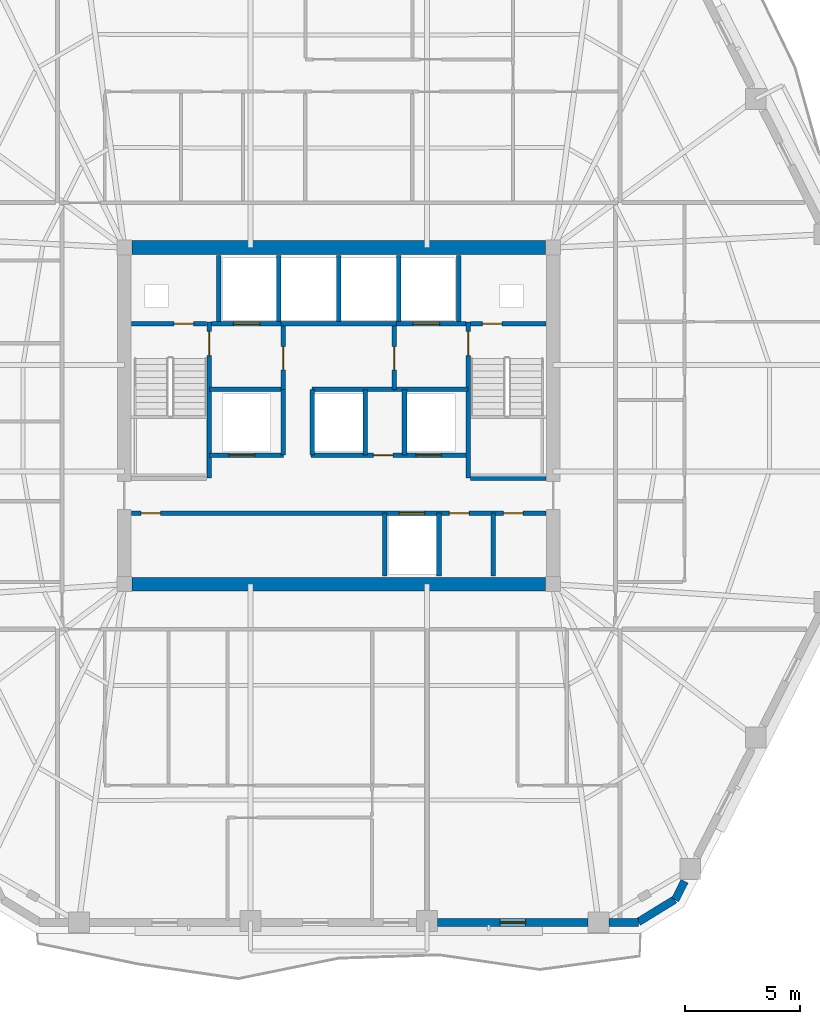
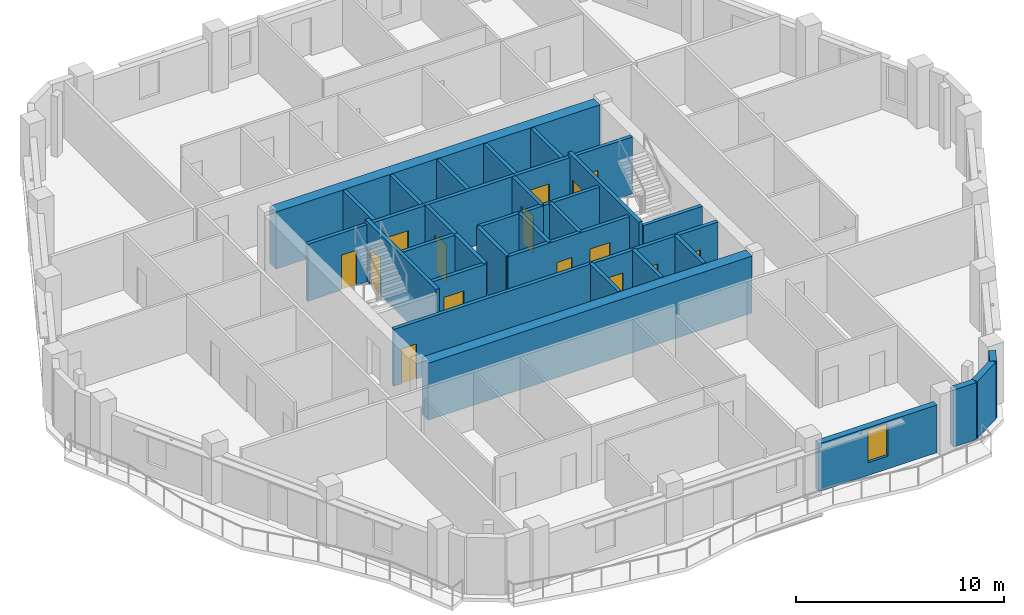
# One storey, part 5 of 12: 34 walls, 15 doors, 1 window, 16 openings.
"""IFC4 building model written with IfcOpenShell, lengths in metres."""

import ifcopenshell
import ifcopenshell.guid

model = None  # the IFC model being written
_history = None  # IfcOwnerHistory: only IFC2X3 demands one
_inside = {}  # id of a spatial element -> (the spatial element, [elements in it])
_under = {}  # id of a project, library or spatial element -> (it, [spatial elements below it])
_declared = {}  # id of a project -> (the project, [libraries it declares])
_typed = {}  # id of a type object -> (the type object, [elements of that type])
_made_of = {}  # id of a material, layer set ... -> (it, [elements and type objects made of it])


def new_model(schema):
    """Start an empty IFC model of exactly this schema.

    Asked for "IFC4X3", IfcOpenShell would pick the latest addendum, in which some entities
    have other attributes; the version numbers below select the first issue.
    IFC2X3 requires an IfcOwnerHistory on every rooted entity: one is made here for all.
    """
    global model, _history
    if schema == "IFC4X3":
        model = ifcopenshell.file(schema_version=(4, 3, 0, 0))
    else:
        model = ifcopenshell.file(schema=schema)
    _inside.clear()
    _under.clear()
    _declared.clear()
    _typed.clear()
    _made_of.clear()
    _history = None
    if model.schema == "IFC2X3":
        org = make("IfcOrganization", Name="unknown")
        user = make(
            "IfcPersonAndOrganization",
            ThePerson=make("IfcPerson", FamilyName="unknown"),
            TheOrganization=org,
        )
        app = make(
            "IfcApplication",
            ApplicationDeveloper=org,
            Version="unknown",
            ApplicationFullName="unknown",
            ApplicationIdentifier="unknown",
        )
        _history = make(
            "IfcOwnerHistory",
            OwningUser=user,
            OwningApplication=app,
            ChangeAction="ADDED",
            CreationDate=0,
        )
    return model


def make(cls, **values):
    """One entity of the class cls with the attributes given. An attribute that is None is left unset."""
    return model.create_entity(
        cls, **{name: value for name, value in values.items() if value is not None}
    )


def rooted(cls, **values):
    """An entity with a GlobalId (a new one), such as an element, a storey or a relation."""
    return make(cls, GlobalId=ifcopenshell.guid.new(), OwnerHistory=_history, **values)


def si_unit(unit_type, name, prefix=None):
    """IfcSIUnit, for example si_unit("LENGTHUNIT", "METRE", prefix="MILLI")."""
    return make("IfcSIUnit", UnitType=unit_type, Prefix=prefix, Name=name)


def assignment(units):
    """IfcUnitAssignment: the units of a project."""
    return None if units is None else make("IfcUnitAssignment", Units=units)


def point(xyz):
    """IfcCartesianPoint."""
    return None if xyz is None else make("IfcCartesianPoint", Coordinates=xyz)


def direction(xyz):
    """IfcDirection."""
    return None if xyz is None else make("IfcDirection", DirectionRatios=xyz)


def frame(location, z_axis=None, x_axis=None):
    """IfcAxis2Placement3D, a coordinate frame: its origin and axes. An axis left out is left unset."""
    return make(
        "IfcAxis2Placement3D",
        Location=point(location),
        Axis=direction(z_axis),
        RefDirection=direction(x_axis),
    )


def frame_2d(location, x_axis=None):
    """IfcAxis2Placement2D, a coordinate frame in the plane: its origin and x axis."""
    return make(
        "IfcAxis2Placement2D", Location=point(location), RefDirection=direction(x_axis)
    )


def origin():
    """The frame at (0, 0, 0) with its axes left unset."""
    return frame((0.0, 0.0, 0.0))


def place(relative_to, where):
    """IfcLocalPlacement: puts the frame where relative to a parent placement (None: the world)."""
    return make(
        "IfcLocalPlacement", PlacementRelTo=relative_to, RelativePlacement=where
    )


def context(
    kind, dimensions, precision=None, world=None, true_north=None, identifier=None
):
    """IfcGeometricRepresentationContext, for example the 3D "Model" context."""
    return make(
        "IfcGeometricRepresentationContext",
        ContextIdentifier=identifier,
        ContextType=kind,
        CoordinateSpaceDimension=dimensions,
        Precision=precision,
        WorldCoordinateSystem=world,
        TrueNorth=true_north,
    )


def subcontext(parent, identifier, kind, view, scale=None):
    """IfcGeometricRepresentationSubContext, for example "Body" below "Model"."""
    return make(
        "IfcGeometricRepresentationSubContext",
        ContextIdentifier=identifier,
        ContextType=kind,
        ParentContext=parent,
        TargetScale=scale,
        TargetView=view,
    )


def project(units=None, contexts=None):
    """IfcProject with its units and contexts."""
    return rooted(
        "IfcProject",
        Name="project",
        RepresentationContexts=contexts,
        UnitsInContext=assignment(units),
    )


def spatial(cls, under=None, at=None, **own):
    """A site, building, storey or space (cls), placed at a placement, below another one or the project."""
    s = rooted(cls, ObjectPlacement=at, **own)
    if under is not None:
        _under.setdefault(under.id(), (under, []))[1].append(s)
    return s


def profile(cls, at=None, kind="AREA", **sizes):
    """A parametric profile (cls). Its sizes go by their IFC names, for example OverallWidth=200.0."""
    return make(cls, ProfileType=kind, Position=at, **sizes)


def rectangle(**sizes):
    """IfcRectangleProfileDef."""
    return profile("IfcRectangleProfileDef", **sizes)


def extrude(swept, where, along, depth):
    """IfcExtrudedAreaSolid: the profile swept, set in the frame where, extruded along a direction by depth."""
    return make(
        "IfcExtrudedAreaSolid",
        SweptArea=swept,
        Position=where,
        ExtrudedDirection=direction(along),
        Depth=depth,
    )


def shape(context_of_items, identifier, shape_type, items):
    """IfcShapeRepresentation: the items that make up one representation, for example the "Body"."""
    return make(
        "IfcShapeRepresentation",
        ContextOfItems=context_of_items,
        RepresentationIdentifier=identifier,
        RepresentationType=shape_type,
        Items=items,
    )


def material(Name=None, Category=None):
    """IfcMaterial."""
    return make("IfcMaterial", Name=Name, Category=Category)


def layer(
    of_material, thickness, ventilated=None, Name=None, Category=None, Priority=None
):
    """IfcMaterialLayer: one layer of a wall or slab, of a material (None: an air gap)."""
    return make(
        "IfcMaterialLayer",
        Material=of_material,
        LayerThickness=thickness,
        IsVentilated=ventilated,
        Name=Name,
        Category=Category,
        Priority=Priority,
    )


def layer_set(layers, Name=None):
    """IfcMaterialLayerSet."""
    return make("IfcMaterialLayerSet", MaterialLayers=layers, LayerSetName=Name)


def made_of(thing, what):
    """Note that an element or type object is made of a material, layer set ...; save() writes the relation."""
    if what is not None:
        _made_of.setdefault(what.id(), (what, []))[1].append(thing)
    return thing


def type_object(cls, material=None, **own):
    """A type object (cls), such as IfcWallType, which elements share."""
    return made_of(rooted(cls, **own), material)


def element(
    cls,
    number,
    at=None,
    inside=None,
    cuts=None,
    type_object=None,
    material=None,
    context=None,
    identifier="Body",
    shape_type=None,
    held_by="IfcProductDefinitionShape",
    body=None,
    shapes=None,
    **own,
):
    """One element of the class cls, such as IfcWall. Its Tag is "e" and its number.

    at: its placement. inside: the storey or other place that contains it. cuts: it is an
    opening in that element (IfcRelVoidsElement). A single representation is given by context,
    identifier, shape_type and body (its items); several are given by shapes. held_by: the class
    of the entity that holds the representations. save() writes the other relations.
    """
    e = rooted(cls, Tag="e%d" % number, ObjectPlacement=at, **own)
    if body is not None:
        shapes = [shape(context, identifier, shape_type, body)]
    if shapes is not None:
        e.Representation = make(held_by, Representations=shapes)
    if inside is not None:
        _inside.setdefault(inside.id(), (inside, []))[1].append(e)
    if cuts is not None:
        rooted(
            "IfcRelVoidsElement", RelatingBuildingElement=cuts, RelatedOpeningElement=e
        )
    if type_object is not None:
        _typed.setdefault(type_object.id(), (type_object, []))[1].append(e)
    return made_of(e, material)


def fill(opening, filler):
    """IfcRelFillsElement: the door or window that sits in an opening."""
    return rooted(
        "IfcRelFillsElement",
        RelatingOpeningElement=opening,
        RelatedBuildingElement=filler,
    )


def aggregate(whole, parts):
    """IfcRelAggregates: a whole, such as a stair, and the parts it consists of."""
    return rooted("IfcRelAggregates", RelatingObject=whole, RelatedObjects=parts)


def save(model, path):
    """Write the relations noted so far, then the file.

    IfcRelAggregates (storeys below a building ...), IfcRelContainedInSpatialStructure (elements
    in a storey), IfcRelDefinesByType, IfcRelAssociatesMaterial and IfcRelDeclares: one each for
    every whole, place, type object, material and project.
    """
    for whole, parts in _under.values():
        aggregate(whole, parts)
    for where, things in _inside.values():
        rooted(
            "IfcRelContainedInSpatialStructure",
            RelatedElements=things,
            RelatingStructure=where,
        )
    for kind, things in _typed.values():
        rooted("IfcRelDefinesByType", RelatedObjects=things, RelatingType=kind)
    for what, things in _made_of.values():
        rooted("IfcRelAssociatesMaterial", RelatedObjects=things, RelatingMaterial=what)
    for by, libraries in _declared.values():
        rooted("IfcRelDeclares", RelatingContext=by, RelatedDefinitions=libraries)
    model.write(path)


model = new_model("IFC4")

# Units and contexts
model_context = context("Model", 3, precision=1e-05, world=origin(), true_north=direction((0.0, 1.0)))
body_context = subcontext(model_context, "Body", "Model", "MODEL_VIEW")
ifc_project = project(units=[si_unit("LENGTHUNIT", "METRE"), si_unit("AREAUNIT", "SQUARE_METRE"), si_unit("VOLUMEUNIT", "CUBIC_METRE"), si_unit("PLANEANGLEUNIT", "RADIAN"), si_unit("MASSUNIT", "GRAM", prefix="KILO")], contexts=[model_context])

# Site, building, storey
site_placement = place(None, origin())
site = spatial("IfcSite", under=ifc_project, at=site_placement, CompositionType="ELEMENT")
building_placement = place(site_placement, origin())
building = spatial("IfcBuilding", under=site, at=building_placement, Name="Cinnabar Lancet Tower", CompositionType="ELEMENT")
storey_placement = place(building_placement, frame((0.0, 0.0, 157.050048828125)))
storey = spatial("IfcBuildingStorey", under=building, at=storey_placement, Name="L41", CompositionType="ELEMENT", Elevation=157.050048828125)

# Wall
ifc_material_1 = material(Name="Autoclaved aerated concrete blockwork", Category="masonry")
ifc_layer_1 = layer(ifc_material_1, 0.199951171875)
ifc_layer_set_1 = layer_set([ifc_layer_1], Name="Autoclaved aerated concrete blockwork")
wall_type_1 = type_object("IfcWallType", Name="ARC-WL-SHAFT-200", PredefinedType="PLUMBINGWALL", material=ifc_layer_set_1)
wall_1_placement = place(storey_placement, frame((38.125, 23.199951171875, 0.0), z_axis=(0.0, 0.0, 1.0), x_axis=(1.0, 0.0, 0.0)))
element("IfcWall", 1, at=wall_1_placement, inside=storey, type_object=wall_type_1, Name="CW-ST2S-L41", PredefinedType="PLUMBINGWALL", context=body_context, shape_type="SweptSolid", body=[
    extrude(rectangle(XDim=3.27001953125, YDim=0.199951171875, at=frame_2d((1.635009765625, 0.0))), origin(), (0.0, 0.0, 1.0), 3.33984375),
])

# Wall, opening, door
wall_2_placement = place(storey_placement, frame((23.405029296875, 29.89990234375, 0.0), z_axis=(0.0, 0.0, 1.0), x_axis=(1.0, 0.0, 0.0)))
wall_2 = element("IfcWall", 2, at=wall_2_placement, inside=storey, type_object=wall_type_1, Name="CW-NSH-W-L41", PredefinedType="PLUMBINGWALL", context=body_context, shape_type="SweptSolid", body=[
    extrude(rectangle(XDim=3.27001953125, YDim=0.199951171875, at=frame_2d((1.635009765625, 0.0))), origin(), (0.0, 0.0, 1.0), 3.33984375),
])
opening_1_placement = place(wall_2_placement, frame((1.85009765625, 0.0, 0.0)))
opening_1 = element("IfcOpeningElement", 3, at=opening_1_placement, cuts=wall_2, Name="Opening PD-02", PredefinedType="OPENING", context=body_context, shape_type="SweptSolid", body=[
    extrude(rectangle(XDim=0.85009765625, YDim=2.050048828125, at=frame_2d((0.425048828125, 1.02490234375))), frame((0.0, 0.10986328125, 0.0), z_axis=(0.0, -1.0, 0.0), x_axis=(1.0, 0.0, 0.0)), (0.0, 0.0, 1.0), 0.219970703125),
])
ifc_material_2 = material(Name="Fire-rated steel riser access door", Category="steel")
door_type_1 = type_object("IfcDoorType", Name="ARC-DR-RISER", OperationType="NOTDEFINED", PredefinedType="DOOR", material=ifc_material_2)
door_1_placement = place(opening_1_placement, origin())
door_1 = element("IfcDoor", 4, at=door_1_placement, inside=storey, type_object=door_type_1, Name="L41 West Riser Access Door", OperationType="SINGLE_SWING_LEFT", OverallHeight=2.050048828125, OverallWidth=0.85009765625, PredefinedType="DOOR", context=body_context, shape_type="SweptSolid", body=[
    extrude(rectangle(XDim=0.85009765625, YDim=2.050048828125, at=frame_2d((0.425048828125, 1.02490234375))), frame((0.0, 0.02490234375, 0.0), z_axis=(0.0, -1.0, 0.0), x_axis=(1.0, 0.0, 0.0)), (0.0, 0.0, 1.0), 0.050048828125),
])
fill(opening_1, door_1)

wall_3_placement = place(storey_placement, frame((26.885009765625, 29.89990234375, 0.0), z_axis=(0.0, 0.0, 1.0), x_axis=(1.0, 0.0, 0.0)))
wall_3 = element("IfcWall", 5, at=wall_3_placement, inside=storey, type_object=wall_type_1, Name="CW-FL1-L41", PredefinedType="PLUMBINGWALL", context=body_context, shape_type="SweptSolid", body=[
    extrude(rectangle(XDim=3.014892578125, YDim=0.199951171875, at=frame_2d((1.50732421875, 0.0))), origin(), (0.0, 0.0, 1.0), 3.33984375),
])
opening_2_placement = place(wall_3_placement, frame((0.93994140625, 0.0, 0.0)))
opening_2 = element("IfcOpeningElement", 6, at=opening_2_placement, cuts=wall_3, Name="Opening LD-02", PredefinedType="OPENING", context=body_context, shape_type="SweptSolid", body=[
    extrude(rectangle(XDim=1.14990234375, YDim=2.199951171875, at=frame_2d((0.574951171875, 1.10009765625))), frame((0.0, 0.10986328125, 0.0), z_axis=(0.0, -1.0, 0.0), x_axis=(1.0, 0.0, 0.0)), (0.0, 0.0, 1.0), 0.219970703125),
])
ifc_material_3 = material(Name="Fire-rated stainless steel firefighting lift landing door", Category="steel")
door_type_2 = type_object("IfcDoorType", Name="ARC-DR-LD-FIRE", OperationType="NOTDEFINED", PredefinedType="DOOR", material=ifc_material_3)
door_2_placement = place(opening_2_placement, origin())
door_2 = element("IfcDoor", 7, at=door_2_placement, inside=storey, type_object=door_type_2, Name="L41 Firefighting Lift FL-1 Landing Door", OperationType="DOUBLE_DOOR_SLIDING", OverallHeight=2.199951171875, OverallWidth=1.14990234375, PredefinedType="DOOR", context=body_context, shape_type="SweptSolid", body=[
    extrude(rectangle(XDim=1.14990234375, YDim=2.199951171875, at=frame_2d((0.574951171875, 1.10009765625))), frame((0.0, 0.02490234375, 0.0), z_axis=(0.0, -1.0, 0.0), x_axis=(1.0, 0.0, 0.0)), (0.0, 0.0, 1.0), 0.050048828125),
])
fill(opening_2, door_2)

# Wall
wall_4_placement = place(storey_placement, frame((29.89990234375, 29.89990234375, 0.0), z_axis=(0.0, 0.0, 1.0), x_axis=(1.0, 0.0, 0.0)))
element("IfcWall", 8, at=wall_4_placement, inside=storey, type_object=wall_type_1, Name="CW-PL78-L41", PredefinedType="PLUMBINGWALL", context=body_context, shape_type="SweptSolid", body=[
    extrude(rectangle(XDim=5.0, YDim=0.199951171875, at=frame_2d((2.5, 0.0))), origin(), (0.0, 0.0, 1.0), 3.33984375),
])

# Wall, opening, door
wall_5_placement = place(storey_placement, frame((34.89990234375, 29.89990234375, 0.0), z_axis=(0.0, 0.0, 1.0), x_axis=(1.0, 0.0, 0.0)))
wall_5 = element("IfcWall", 9, at=wall_5_placement, inside=storey, type_object=wall_type_1, Name="CW-FL2-L41", PredefinedType="PLUMBINGWALL", context=body_context, shape_type="SweptSolid", body=[
    extrude(rectangle(XDim=3.01513671875, YDim=0.199951171875, at=frame_2d((1.507568359375, 0.0))), origin(), (0.0, 0.0, 1.0), 3.33984375),
])
opening_3_placement = place(wall_5_placement, frame((0.72509765625, 0.0, 0.0)))
opening_3 = element("IfcOpeningElement", 10, at=opening_3_placement, cuts=wall_5, Name="Opening LD-02", PredefinedType="OPENING", context=body_context, shape_type="SweptSolid", body=[
    extrude(rectangle(XDim=1.14990234375, YDim=2.199951171875, at=frame_2d((0.574951171875, 1.10009765625))), frame((0.0, 0.10986328125, 0.0), z_axis=(0.0, -1.0, 0.0), x_axis=(1.0, 0.0, 0.0)), (0.0, 0.0, 1.0), 0.219970703125),
])
door_3_placement = place(opening_3_placement, origin())
door_3 = element("IfcDoor", 11, at=door_3_placement, inside=storey, type_object=door_type_2, Name="L41 Firefighting Lift FL-2 Landing Door", OperationType="DOUBLE_DOOR_SLIDING", OverallHeight=2.199951171875, OverallWidth=1.14990234375, PredefinedType="DOOR", context=body_context, shape_type="SweptSolid", body=[
    extrude(rectangle(XDim=1.14990234375, YDim=2.199951171875, at=frame_2d((0.574951171875, 1.10009765625))), frame((0.0, 0.02490234375, 0.0), z_axis=(0.0, -1.0, 0.0), x_axis=(1.0, 0.0, 0.0)), (0.0, 0.0, 1.0), 0.050048828125),
])
fill(opening_3, door_3)

wall_6_placement = place(storey_placement, frame((38.125, 29.89990234375, 0.0), z_axis=(0.0, 0.0, 1.0), x_axis=(1.0, 0.0, 0.0)))
wall_6 = element("IfcWall", 12, at=wall_6_placement, inside=storey, type_object=wall_type_1, Name="CW-NSH-E-L41", PredefinedType="PLUMBINGWALL", context=body_context, shape_type="SweptSolid", body=[
    extrude(rectangle(XDim=3.27001953125, YDim=0.199951171875, at=frame_2d((1.635009765625, 0.0))), origin(), (0.0, 0.0, 1.0), 3.33984375),
])
opening_4_placement = place(wall_6_placement, frame((0.5, 0.0, 0.0)))
opening_4 = element("IfcOpeningElement", 13, at=opening_4_placement, cuts=wall_6, Name="Opening PD-02", PredefinedType="OPENING", context=body_context, shape_type="SweptSolid", body=[
    extrude(rectangle(XDim=0.85009765625, YDim=2.050048828125, at=frame_2d((0.425048828125, 1.02490234375))), frame((0.0, 0.10986328125, 0.0), z_axis=(0.0, -1.0, 0.0), x_axis=(1.0, 0.0, 0.0)), (0.0, 0.0, 1.0), 0.219970703125),
])
door_4_placement = place(opening_4_placement, origin())
door_4 = element("IfcDoor", 14, at=door_4_placement, inside=storey, type_object=door_type_1, Name="L41 East Riser Access Door", OperationType="SINGLE_SWING_RIGHT", OverallHeight=2.050048828125, OverallWidth=0.85009765625, PredefinedType="DOOR", context=body_context, shape_type="SweptSolid", body=[
    extrude(rectangle(XDim=0.85009765625, YDim=2.050048828125, at=frame_2d((0.425048828125, 1.02490234375))), frame((0.0, 0.02490234375, 0.0), z_axis=(0.0, -1.0, 0.0), x_axis=(1.0, 0.0, 0.0)), (0.0, 0.0, 1.0), 0.050048828125),
])
fill(opening_4, door_4)

# Walls
for number, where, z_axis, x_axis, name in (
    (15, (27.199951171875, 30.0, 0.0), (0.0, 0.0, 1.0), (0.0, 1.0, 0.0), "CW-NSH-D1-L41"),
    (16, (29.800048828125, 30.0, 0.0), (0.0, 0.0, 1.0), (0.0, 1.0, 0.0), "CW-NSH-D2-L41"),
    (17, (32.39990234375, 30.0, 0.0), (0.0, 0.0, 1.0), (0.0, 1.0, 0.0), "CW-NSH-D3-L41"),
    (18, (35.0, 30.0, 0.0), (0.0, 0.0, 1.0), (0.0, 1.0, 0.0), "CW-NSH-D4-L41"),
    (19, (37.60009765625, 30.0, 0.0), (0.0, 0.0, 1.0), (0.0, 1.0, 0.0), "CW-NSH-D5-L41"),
):
    element("IfcWall", number, at=place(storey_placement, frame(where, z_axis=z_axis, x_axis=x_axis)), inside=storey, type_object=wall_type_1, Name=name, PredefinedType="PLUMBINGWALL", context=body_context, shape_type="SweptSolid", body=[
        extrude(rectangle(XDim=2.85009765625, YDim=0.199951171875, at=frame_2d((1.425048828125, 0.0))), origin(), (0.0, 0.0, 1.0), 3.33984375),
    ])

# Wall, opening, door
wall_7_placement = place(storey_placement, frame((30.0, 27.050048828125, 0.0), z_axis=(0.0, 0.0, 1.0), x_axis=(0.0, 1.0, 0.0)))
wall_7 = element("IfcWall", 20, at=wall_7_placement, inside=storey, type_object=wall_type_1, Name="CW-FF1E-L41", PredefinedType="PLUMBINGWALL", context=body_context, shape_type="SweptSolid", body=[
    extrude(rectangle(XDim=2.75, YDim=0.199951171875, at=frame_2d((1.375, 0.0))), origin(), (0.0, 0.0, 1.0), 3.33984375),
])
opening_5_placement = place(wall_7_placement, frame((0.85009765625, 0.0, 0.0)))
opening_5 = element("IfcOpeningElement", 21, at=opening_5_placement, cuts=wall_7, Name="Opening FD-01", PredefinedType="OPENING", context=body_context, shape_type="SweptSolid", body=[
    extrude(rectangle(XDim=1.0, YDim=2.14990234375, at=frame_2d((0.5, 1.074951171875))), frame((0.0, 0.10986328125, 0.0), z_axis=(0.0, -1.0, 0.0), x_axis=(1.0, 0.0, 0.0)), (0.0, 0.0, 1.0), 0.219970703125),
])
ifc_material_4 = material(Name="Fire-rated timber-core lobby door", Category="wood")
door_type_3 = type_object("IfcDoorType", Name="ARC-DR-FFAL", OperationType="NOTDEFINED", PredefinedType="DOOR", material=ifc_material_4)
door_5_placement = place(opening_5_placement, origin())
door_5 = element("IfcDoor", 22, at=door_5_placement, inside=storey, type_object=door_type_3, Name="L41 FFAL-1 Lobby Fire Door", OperationType="SINGLE_SWING_RIGHT", OverallHeight=2.14990234375, OverallWidth=1.0, PredefinedType="DOOR", context=body_context, shape_type="SweptSolid", body=[
    extrude(rectangle(XDim=1.0, YDim=2.14990234375, at=frame_2d((0.5, 1.074951171875))), frame((0.0, 0.02490234375, 0.0), z_axis=(0.0, -1.0, 0.0), x_axis=(1.0, 0.0, 0.0)), (0.0, 0.0, 1.0), 0.050048828125),
])
fill(opening_5, door_5)

# Wall
wall_8_placement = place(storey_placement, frame((26.800048828125, 27.050048828125, 0.0), z_axis=(0.0, 0.0, 1.0), x_axis=(1.0, 0.0, 0.0)))
element("IfcWall", 23, at=wall_8_placement, inside=storey, type_object=wall_type_1, Name="CW-FF1S-L41", PredefinedType="PLUMBINGWALL", context=body_context, shape_type="SweptSolid", body=[
    extrude(rectangle(XDim=3.199951171875, YDim=0.199951171875, at=frame_2d((1.60009765625, 0.0))), origin(), (0.0, 0.0, 1.0), 3.33984375),
])

# Wall, opening, door
wall_9_placement = place(storey_placement, frame((34.800048828125, 27.050048828125, 0.0), z_axis=(0.0, 0.0, 1.0), x_axis=(0.0, 1.0, 0.0)))
wall_9 = element("IfcWall", 24, at=wall_9_placement, inside=storey, type_object=wall_type_1, Name="CW-FF2W-L41", PredefinedType="PLUMBINGWALL", context=body_context, shape_type="SweptSolid", body=[
    extrude(rectangle(XDim=2.75, YDim=0.199951171875, at=frame_2d((1.375, 0.0))), origin(), (0.0, 0.0, 1.0), 3.33984375),
])
opening_6_placement = place(wall_9_placement, frame((0.85009765625, 0.0, 0.0)))
opening_6 = element("IfcOpeningElement", 25, at=opening_6_placement, cuts=wall_9, Name="Opening FD-01", PredefinedType="OPENING", context=body_context, shape_type="SweptSolid", body=[
    extrude(rectangle(XDim=1.0, YDim=2.14990234375, at=frame_2d((0.5, 1.074951171875))), frame((0.0, 0.10986328125, 0.0), z_axis=(0.0, -1.0, 0.0), x_axis=(1.0, 0.0, 0.0)), (0.0, 0.0, 1.0), 0.219970703125),
])
door_6_placement = place(opening_6_placement, origin())
door_6 = element("IfcDoor", 26, at=door_6_placement, inside=storey, type_object=door_type_3, Name="L41 FFAL-2 Lobby Fire Door", OperationType="SINGLE_SWING_LEFT", OverallHeight=2.14990234375, OverallWidth=1.0, PredefinedType="DOOR", context=body_context, shape_type="SweptSolid", body=[
    extrude(rectangle(XDim=1.0, YDim=2.14990234375, at=frame_2d((0.5, 1.074951171875))), frame((0.0, 0.02490234375, 0.0), z_axis=(0.0, -1.0, 0.0), x_axis=(1.0, 0.0, 0.0)), (0.0, 0.0, 1.0), 0.050048828125),
])
fill(opening_6, door_6)

# Wall
wall_10_placement = place(storey_placement, frame((34.800048828125, 27.050048828125, 0.0), z_axis=(0.0, 0.0, 1.0), x_axis=(1.0, 0.0, 0.0)))
element("IfcWall", 27, at=wall_10_placement, inside=storey, type_object=wall_type_1, Name="CW-FF2S-L41", PredefinedType="PLUMBINGWALL", context=body_context, shape_type="SweptSolid", body=[
    extrude(rectangle(XDim=3.199951171875, YDim=0.199951171875, at=frame_2d((1.60009765625, 0.0))), origin(), (0.0, 0.0, 1.0), 3.33984375),
])

# Wall, opening, door
wall_11_placement = place(storey_placement, frame((26.800048828125, 24.199951171875, 0.0), z_axis=(0.0, 0.0, 1.0), x_axis=(1.0, 0.0, 0.0)))
wall_11 = element("IfcWall", 28, at=wall_11_placement, inside=storey, type_object=wall_type_1, Name="CW-PL5S-L41", PredefinedType="PLUMBINGWALL", context=body_context, shape_type="SweptSolid", body=[
    extrude(rectangle(XDim=3.199951171875, YDim=0.199951171875, at=frame_2d((1.60009765625, 0.0))), origin(), (0.0, 0.0, 1.0), 3.33984375),
])
opening_7_placement = place(wall_11_placement, frame((0.85009765625, 0.0, 0.0)))
opening_7 = element("IfcOpeningElement", 29, at=opening_7_placement, cuts=wall_11, Name="Opening LD-01", PredefinedType="OPENING", context=body_context, shape_type="SweptSolid", body=[
    extrude(rectangle(XDim=1.10009765625, YDim=2.199951171875, at=frame_2d((0.550048828125, 1.10009765625))), frame((0.0, 0.10986328125, 0.0), z_axis=(0.0, -1.0, 0.0), x_axis=(1.0, 0.0, 0.0)), (0.0, 0.0, 1.0), 0.219970703125),
])
ifc_material_5 = material(Name="Brushed stainless steel sliding lift door", Category="steel")
door_type_4 = type_object("IfcDoorType", Name="ARC-DR-LD-PASS", OperationType="NOTDEFINED", PredefinedType="DOOR", material=ifc_material_5)
door_7_placement = place(opening_7_placement, origin())
door_7 = element("IfcDoor", 30, at=door_7_placement, inside=storey, type_object=door_type_4, Name="L41 Lift PL-5 Landing Door", OperationType="DOUBLE_DOOR_SLIDING", OverallHeight=2.199951171875, OverallWidth=1.10009765625, PredefinedType="DOOR", context=body_context, shape_type="SweptSolid", body=[
    extrude(rectangle(XDim=1.10009765625, YDim=2.199951171875, at=frame_2d((0.550048828125, 1.10009765625))), frame((0.0, 0.02490234375, 0.0), z_axis=(0.0, -1.0, 0.0), x_axis=(1.0, 0.0, 0.0)), (0.0, 0.0, 1.0), 0.050048828125),
])
fill(opening_7, door_7)

# Wall
wall_12_placement = place(storey_placement, frame((30.0, 24.199951171875, 0.0), z_axis=(0.0, 0.0, 1.0), x_axis=(0.0, 1.0, 0.0)))
element("IfcWall", 31, at=wall_12_placement, inside=storey, type_object=wall_type_1, Name="CW-PL5E-L41", PredefinedType="PLUMBINGWALL", context=body_context, shape_type="SweptSolid", body=[
    extrude(rectangle(XDim=2.85009765625, YDim=0.199951171875, at=frame_2d((1.425048828125, 0.0))), origin(), (0.0, 0.0, 1.0), 3.33984375),
])

# Wall, openings, doors
wall_13_placement = place(storey_placement, frame((31.199951171875, 24.199951171875, 0.0), z_axis=(0.0, 0.0, 1.0), x_axis=(1.0, 0.0, 0.0)))
wall_13 = element("IfcWall", 32, at=wall_13_placement, inside=storey, type_object=wall_type_1, Name="CW-PL96S-L41", PredefinedType="PLUMBINGWALL", context=body_context, shape_type="SweptSolid", body=[
    extrude(rectangle(XDim=6.800048828125, YDim=0.199951171875, at=frame_2d((3.39990234375, 0.0))), origin(), (0.0, 0.0, 1.0), 3.33984375),
])
opening_8_placement = place(wall_13_placement, frame((2.699951171875, 0.0, 0.0)))
opening_8 = element("IfcOpeningElement", 33, at=opening_8_placement, cuts=wall_13, Name="Opening PD-02", PredefinedType="OPENING", context=body_context, shape_type="SweptSolid", body=[
    extrude(rectangle(XDim=0.85009765625, YDim=2.050048828125, at=frame_2d((0.425048828125, 1.02490234375))), frame((0.0, 0.10986328125, 0.0), z_axis=(0.0, -1.0, 0.0), x_axis=(1.0, 0.0, 0.0)), (0.0, 0.0, 1.0), 0.219970703125),
])
opening_9_placement = place(wall_13_placement, frame((4.550048828125, 0.0, 0.0)))
opening_9 = element("IfcOpeningElement", 34, at=opening_9_placement, cuts=wall_13, Name="Opening LD-01", PredefinedType="OPENING", context=body_context, shape_type="SweptSolid", body=[
    extrude(rectangle(XDim=1.10009765625, YDim=2.199951171875, at=frame_2d((0.550048828125, 1.10009765625))), frame((0.0, 0.10986328125, 0.0), z_axis=(0.0, -1.0, 0.0), x_axis=(1.0, 0.0, 0.0)), (0.0, 0.0, 1.0), 0.219970703125),
])
door_8_placement = place(opening_9_placement, origin())
door_8 = element("IfcDoor", 35, at=door_8_placement, inside=storey, type_object=door_type_4, Name="L41 Lift PL-6 Landing Door", OperationType="DOUBLE_DOOR_SLIDING", OverallHeight=2.199951171875, OverallWidth=1.10009765625, PredefinedType="DOOR", context=body_context, shape_type="SweptSolid", body=[
    extrude(rectangle(XDim=1.10009765625, YDim=2.199951171875, at=frame_2d((0.550048828125, 1.10009765625))), frame((0.0, 0.02490234375, 0.0), z_axis=(0.0, -1.0, 0.0), x_axis=(1.0, 0.0, 0.0)), (0.0, 0.0, 1.0), 0.050048828125),
])
fill(opening_9, door_8)
door_9_placement = place(opening_8_placement, origin())
door_9 = element("IfcDoor", 36, at=door_9_placement, inside=storey, type_object=door_type_1, Name="L41 BMS Closet Door", OperationType="SINGLE_SWING_LEFT", OverallHeight=2.050048828125, OverallWidth=0.85009765625, PredefinedType="DOOR", context=body_context, shape_type="SweptSolid", body=[
    extrude(rectangle(XDim=0.85009765625, YDim=2.050048828125, at=frame_2d((0.425048828125, 1.02490234375))), frame((0.0, 0.02490234375, 0.0), z_axis=(0.0, -1.0, 0.0), x_axis=(1.0, 0.0, 0.0)), (0.0, 0.0, 1.0), 0.050048828125),
])
fill(opening_8, door_9)

# Walls
for number, where, z_axis, x_axis, name in (
    (37, (31.25, 24.199951171875, 0.0), (0.0, 0.0, 1.0), (0.0, 1.0, 0.0), "CW-PL9W-L41"),
    (38, (33.550048828125, 24.199951171875, 0.0), (0.0, 0.0, 1.0), (0.0, 1.0, 0.0), "CW-PL9E-L41"),
    (39, (35.25, 24.199951171875, 0.0), (0.0, 0.0, 1.0), (0.0, 1.0, 0.0), "CW-PL6W-L41"),
):
    element("IfcWall", number, at=place(storey_placement, frame(where, z_axis=z_axis, x_axis=x_axis)), inside=storey, type_object=wall_type_1, Name=name, PredefinedType="PLUMBINGWALL", context=body_context, shape_type="SweptSolid", body=[
        extrude(rectangle(XDim=2.85009765625, YDim=0.199951171875, at=frame_2d((1.425048828125, 0.0))), origin(), (0.0, 0.0, 1.0), 3.33984375),
    ])
wall_14_placement = place(storey_placement, frame((31.25, 27.050048828125, 0.0), z_axis=(0.0, 0.0, 1.0), x_axis=(1.0, 0.0, 0.0)))
element("IfcWall", 40, at=wall_14_placement, inside=storey, type_object=wall_type_1, Name="CW-PL96N-L41", PredefinedType="PLUMBINGWALL", context=body_context, shape_type="SweptSolid", body=[
    extrude(rectangle(XDim=3.550048828125, YDim=0.199951171875, at=frame_2d((1.77490234375, 0.0))), origin(), (0.0, 0.0, 1.0), 3.33984375),
])

# Wall, openings, doors
wall_15_placement = place(storey_placement, frame((23.419921875, 21.679931640625, 0.0), z_axis=(0.0, 0.0, 1.0), x_axis=(1.0, 0.0, 0.0)))
wall_15 = element("IfcWall", 41, at=wall_15_placement, inside=storey, type_object=wall_type_1, Name="CW-SBANDN-L41", PredefinedType="PLUMBINGWALL", context=body_context, shape_type="SweptSolid", body=[
    extrude(rectangle(XDim=17.9599609375, YDim=0.199951171875, at=frame_2d((8.97998046875, 0.0))), origin(), (0.0, 0.0, 1.0), 3.33984375),
])
opening_10_placement = place(wall_15_placement, frame((11.60009765625, 0.0, 0.0)))
opening_10 = element("IfcOpeningElement", 42, at=opening_10_placement, cuts=wall_15, Name="Opening LD-01", PredefinedType="OPENING", context=body_context, shape_type="SweptSolid", body=[
    extrude(rectangle(XDim=1.10009765625, YDim=2.199951171875, at=frame_2d((0.550048828125, 1.10009765625))), frame((0.0, 0.10986328125, 0.0), z_axis=(0.0, -1.0, 0.0), x_axis=(1.0, 0.0, 0.0)), (0.0, 0.0, 1.0), 0.219970703125),
])
opening_11_placement = place(wall_15_placement, frame((0.409912109375, 0.0, 0.0)))
opening_11 = element("IfcOpeningElement", 43, at=opening_11_placement, cuts=wall_15, Name="Opening PD-02", PredefinedType="OPENING", context=body_context, shape_type="SweptSolid", body=[
    extrude(rectangle(XDim=0.85009765625, YDim=2.050048828125, at=frame_2d((0.425048828125, 1.02490234375))), frame((0.0, 0.10986328125, 0.0), z_axis=(0.0, -1.0, 0.0), x_axis=(1.0, 0.0, 0.0)), (0.0, 0.0, 1.0), 0.219970703125),
])
opening_12_placement = place(wall_15_placement, frame((13.780029296875, 0.0, 0.0)))
opening_12 = element("IfcOpeningElement", 44, at=opening_12_placement, cuts=wall_15, Name="Opening PD-02", PredefinedType="OPENING", context=body_context, shape_type="SweptSolid", body=[
    extrude(rectangle(XDim=0.85009765625, YDim=2.050048828125, at=frame_2d((0.425048828125, 1.02490234375))), frame((0.0, 0.10986328125, 0.0), z_axis=(0.0, -1.0, 0.0), x_axis=(1.0, 0.0, 0.0)), (0.0, 0.0, 1.0), 0.219970703125),
])
opening_13_placement = place(wall_15_placement, frame((16.1298828125, 0.0, 0.0)))
opening_13 = element("IfcOpeningElement", 45, at=opening_13_placement, cuts=wall_15, Name="Opening PD-02", PredefinedType="OPENING", context=body_context, shape_type="SweptSolid", body=[
    extrude(rectangle(XDim=0.85009765625, YDim=2.050048828125, at=frame_2d((0.425048828125, 1.02490234375))), frame((0.0, 0.10986328125, 0.0), z_axis=(0.0, -1.0, 0.0), x_axis=(1.0, 0.0, 0.0)), (0.0, 0.0, 1.0), 0.219970703125),
])
door_10_placement = place(opening_10_placement, origin())
door_10 = element("IfcDoor", 46, at=door_10_placement, inside=storey, type_object=door_type_4, Name="L41 Lift PL-4 Landing Door", OperationType="DOUBLE_DOOR_SLIDING", OverallHeight=2.199951171875, OverallWidth=1.10009765625, PredefinedType="DOOR", context=body_context, shape_type="SweptSolid", body=[
    extrude(rectangle(XDim=1.10009765625, YDim=2.199951171875, at=frame_2d((0.550048828125, 1.10009765625))), frame((0.0, 0.02490234375, 0.0), z_axis=(0.0, -1.0, 0.0), x_axis=(1.0, 0.0, 0.0)), (0.0, 0.0, 1.0), 0.050048828125),
])
fill(opening_10, door_10)
door_11_placement = place(opening_11_placement, origin())
door_11 = element("IfcDoor", 47, at=door_11_placement, inside=storey, type_object=door_type_1, Name="DR-L41-MREC1", OperationType="SINGLE_SWING_LEFT", OverallHeight=2.050048828125, OverallWidth=0.85009765625, PredefinedType="DOOR", context=body_context, shape_type="SweptSolid", body=[
    extrude(rectangle(XDim=0.85009765625, YDim=2.050048828125, at=frame_2d((0.425048828125, 1.02490234375))), frame((0.0, 0.02490234375, 0.0), z_axis=(0.0, -1.0, 0.0), x_axis=(1.0, 0.0, 0.0)), (0.0, 0.0, 1.0), 0.050048828125),
])
fill(opening_11, door_11)
door_12_placement = place(opening_12_placement, origin())
door_12 = element("IfcDoor", 48, at=door_12_placement, inside=storey, type_object=door_type_1, Name="DR-L41-MREC2", OperationType="SINGLE_SWING_RIGHT", OverallHeight=2.050048828125, OverallWidth=0.85009765625, PredefinedType="DOOR", context=body_context, shape_type="SweptSolid", body=[
    extrude(rectangle(XDim=0.85009765625, YDim=2.050048828125, at=frame_2d((0.425048828125, 1.02490234375))), frame((0.0, 0.02490234375, 0.0), z_axis=(0.0, -1.0, 0.0), x_axis=(1.0, 0.0, 0.0)), (0.0, 0.0, 1.0), 0.050048828125),
])
fill(opening_12, door_12)
door_13_placement = place(opening_13_placement, origin())
door_13 = element("IfcDoor", 49, at=door_13_placement, inside=storey, type_object=door_type_1, Name="DR-L41-MREC3", OperationType="SINGLE_SWING_LEFT", OverallHeight=2.050048828125, OverallWidth=0.85009765625, PredefinedType="DOOR", context=body_context, shape_type="SweptSolid", body=[
    extrude(rectangle(XDim=0.85009765625, YDim=2.050048828125, at=frame_2d((0.425048828125, 1.02490234375))), frame((0.0, 0.02490234375, 0.0), z_axis=(0.0, -1.0, 0.0), x_axis=(1.0, 0.0, 0.0)), (0.0, 0.0, 1.0), 0.050048828125),
])
fill(opening_13, door_13)

# Walls
for number, where, z_axis, x_axis, name in (
    (50, (34.39990234375, 18.949951171875, 0.0), (0.0, 0.0, 1.0), (0.0, 1.0, 0.0), "CW-SB-3440-L41"),
    (51, (36.75, 18.949951171875, 0.0), (0.0, 0.0, 1.0), (0.0, 1.0, 0.0), "CW-SB-3675-L41"),
    (52, (39.10009765625, 18.949951171875, 0.0), (0.0, 0.0, 1.0), (0.0, 1.0, 0.0), "CW-SB-3910-L41"),
):
    element("IfcWall", number, at=place(storey_placement, frame(where, z_axis=z_axis, x_axis=x_axis)), inside=storey, type_object=wall_type_1, Name=name, PredefinedType="PLUMBINGWALL", context=body_context, shape_type="SweptSolid", body=[
        extrude(rectangle(XDim=2.72998046875, YDim=0.199951171875, at=frame_2d((1.364990234375, 0.0))), origin(), (0.0, 0.0, 1.0), 3.33984375),
    ])
ifc_material_6 = material(Name="Cinnabar red clay brick", Category="masonry")
ifc_layer_2 = layer(ifc_material_6, 0.340087890625)
ifc_layer_set_2 = layer_set([ifc_layer_2], Name="Cinnabar red clay brick")
wall_type_2 = type_object("IfcWallType", Name="ENV-WL-BRK-RED-340", PredefinedType="STANDARD", material=ifc_layer_set_2)
wall_16_placement = place(storey_placement, frame((45.39697265625, 3.955078125, 0.0), z_axis=(0.0, 0.0, 1.0), x_axis=(0.851798915137, 0.523868884523, 0.0)))
element("IfcWall", 53, at=wall_16_placement, inside=storey, type_object=wall_type_2, Name="L41 Chamfered Corner Brick Pier 2.1", PredefinedType="STANDARD", context=body_context, shape_type="SweptSolid", body=[
    extrude(rectangle(XDim=1.847900390625, YDim=0.340087890625, at=frame_2d((0.923828125, 0.0))), origin(), (0.0, 0.0, 1.0), 3.33984375),
])

# Wall, opening, window
wall_17_placement = place(storey_placement, frame((36.68603515625, 3.929931640625, 0.0), z_axis=(0.0, 0.0, 1.0), x_axis=(1.0, 0.0, 0.0)))
wall_17 = element("IfcWall", 54, at=wall_17_placement, inside=storey, type_object=wall_type_2, Name="L41 Face 1 Masonry Bay Wall 4", PredefinedType="STANDARD", context=body_context, shape_type="SweptSolid", body=[
    extrude(rectangle(XDim=6.529052734375, YDim=0.340087890625, at=frame_2d((3.2646484375, 0.0))), origin(), (0.0, 0.0, 1.0), 2.796875),
])
opening_14_placement = place(wall_17_placement, frame((2.715087890625, 0.0, 0.75)))
opening_14 = element("IfcOpeningElement", 55, at=opening_14_placement, cuts=wall_17, Name="Opening WN-04", PredefinedType="OPENING", context=body_context, shape_type="SweptSolid", body=[
    extrude(rectangle(XDim=1.10009765625, YDim=1.89697265625, at=frame_2d((0.550048828125, 0.948486328125))), frame((0.0, 0.179931640625, 0.0), z_axis=(0.0, -1.0, 0.0), x_axis=(1.0, 0.0, 0.0)), (0.0, 0.0, 1.0), 0.360107421875),
])
ifc_material_7 = material(Name="Thermally broken bronze-anodized aluminium tall lancet window", Category="aluminium")
window_type = type_object("IfcWindowType", Name="ENV-WN-LANCET-1100", PartitioningType="SINGLE_PANEL", PredefinedType="WINDOW", material=ifc_material_7)
window_placement = place(opening_14_placement, origin())
window = element("IfcWindow", 56, at=window_placement, inside=storey, type_object=window_type, Name="L41 Face 1 Gothic Lancet Window 4", OverallHeight=1.89697265625, OverallWidth=1.10009765625, PartitioningType="SINGLE_PANEL", PredefinedType="WINDOW", context=body_context, shape_type="SweptSolid", body=[
    extrude(rectangle(XDim=1.10009765625, YDim=1.89697265625, at=frame_2d((0.550048828125, 0.948486328125))), frame((0.0, 0.030029296875, 0.0), z_axis=(0.0, -1.0, 0.0), x_axis=(1.0, 0.0, 0.0)), (0.0, 0.0, 1.0), 0.06005859375),
])
fill(opening_14, window)

# Walls
wall_18_placement = place(storey_placement, frame((44.123046875, 3.929931640625, 0.0), z_axis=(0.0, 0.0, 1.0), x_axis=(1.0, 0.0, 0.0)))
element("IfcWall", 57, at=wall_18_placement, inside=storey, type_object=wall_type_2, Name="L41 Face 1 Masonry Bay Wall 5", PredefinedType="STANDARD", context=body_context, shape_type="SweptSolid", body=[
    extrude(rectangle(XDim=1.279052734375, YDim=0.340087890625, at=frame_2d((0.6396484375, 0.0))), origin(), (0.0, 0.0, 1.0), 3.33984375),
])
wall_19_placement = place(storey_placement, frame((46.990966796875, 4.906982421875, 0.0), z_axis=(0.0, 0.0, 1.0), x_axis=(0.451521436551, 0.892260271633, 0.0)))
element("IfcWall", 58, at=wall_19_placement, inside=storey, type_object=wall_type_2, Name="L41 Face 2 Masonry Bay Wall 1", PredefinedType="STANDARD", context=body_context, shape_type="SweptSolid", body=[
    extrude(rectangle(XDim=0.90576171875, YDim=0.340087890625, at=frame_2d((0.452880859375, 0.0))), origin(), (0.0, 0.0, 1.0), 3.33984375),
])
ifc_material_8 = material(Name="Concrete C60/75", Category="concrete")
ifc_layer_3 = layer(ifc_material_8, 0.60009765625)
ifc_layer_set_3 = layer_set([ifc_layer_3], Name="Concrete C60/75")
wall_type_3 = type_object("IfcWallType", Name="STR-WL-CORE-600", PredefinedType="SHEAR", material=ifc_layer_set_3)
for number, where, z_axis, x_axis, name in (
    (59, (23.425048828125, 18.60009765625, 0.0), (0.0, 0.0, 1.0), (1.0, 0.0, 0.0), "L41 Core Shear Wall S"),
    (60, (23.425048828125, 33.199951171875, 0.0), (0.0, 0.0, 1.0), (1.0, 0.0, 0.0), "L41 Core Shear Wall N"),
):
    element("IfcWall", number, at=place(storey_placement, frame(where, z_axis=z_axis, x_axis=x_axis)), inside=storey, type_object=wall_type_3, Name=name, PredefinedType="SHEAR", context=body_context, shape_type="SweptSolid", body=[
        extrude(rectangle(XDim=17.949951171875, YDim=0.60009765625, at=frame_2d((8.97509765625, 0.0))), origin(), (0.0, 0.0, 1.0), 3.33984375),
    ])

# Wall, opening, door
ifc_material_9 = material(Name="Concrete C50/60", Category="concrete")
ifc_layer_4 = layer(ifc_material_9, 0.199951171875)
ifc_layer_set_4 = layer_set([ifc_layer_4], Name="Concrete C50/60")
wall_type_4 = type_object("IfcWallType", Name="STR-WL-STAIR-200", PredefinedType="SHEAR", material=ifc_layer_set_4)
wall_20_placement = place(storey_placement, frame((26.780029296875, 23.199951171875, 0.0), z_axis=(0.0, 0.0, 1.0), x_axis=(0.0, 1.0, 0.0)))
wall_20 = element("IfcWall", 61, at=wall_20_placement, inside=storey, type_object=wall_type_4, Name="L41 Stair ST-1 Structural Enclosure Wall", PredefinedType="SHEAR", context=body_context, shape_type="SweptSolid", body=[
    extrude(rectangle(XDim=6.780029296875, YDim=0.199951171875, at=frame_2d((3.39013671875, 0.0))), origin(), (0.0, 0.0, 1.0), 3.550048828125),
])
opening_15_placement = place(wall_20_placement, frame((5.320068359375, 0.0, 0.0)))
opening_15 = element("IfcOpeningElement", 62, at=opening_15_placement, cuts=wall_20, Name="Opening SD-01", PredefinedType="OPENING", context=body_context, shape_type="SweptSolid", body=[
    extrude(rectangle(XDim=1.050048828125, YDim=2.14990234375, at=frame_2d((0.52490234375, 1.074951171875))), frame((0.0, 0.10986328125, 0.0), z_axis=(0.0, -1.0, 0.0), x_axis=(1.0, 0.0, 0.0)), (0.0, 0.0, 1.0), 0.219970703125),
])
ifc_material_10 = material(Name="Fire-rated steel stair exit door", Category="steel")
door_type_5 = type_object("IfcDoorType", Name="ARC-DR-STAIR", OperationType="NOTDEFINED", PredefinedType="DOOR", material=ifc_material_10)
door_14_placement = place(opening_15_placement, origin())
door_14 = element("IfcDoor", 63, at=door_14_placement, inside=storey, type_object=door_type_5, Name="L41 Stair ST-1 Fire Door", OperationType="SINGLE_SWING_LEFT", OverallHeight=2.14990234375, OverallWidth=1.050048828125, PredefinedType="DOOR", context=body_context, shape_type="SweptSolid", body=[
    extrude(rectangle(XDim=1.050048828125, YDim=2.14990234375, at=frame_2d((0.52490234375, 1.074951171875))), frame((0.0, 0.02490234375, 0.0), z_axis=(0.0, -1.0, 0.0), x_axis=(1.0, 0.0, 0.0)), (0.0, 0.0, 1.0), 0.050048828125),
])
fill(opening_15, door_14)

wall_21_placement = place(storey_placement, frame((38.02001953125, 23.199951171875, 0.0), z_axis=(0.0, 0.0, 1.0), x_axis=(0.0, 1.0, 0.0)))
wall_21 = element("IfcWall", 64, at=wall_21_placement, inside=storey, type_object=wall_type_4, Name="L41 Stair ST-2 Structural Enclosure Wall", PredefinedType="SHEAR", context=body_context, shape_type="SweptSolid", body=[
    extrude(rectangle(XDim=6.780029296875, YDim=0.199951171875, at=frame_2d((3.39013671875, 0.0))), origin(), (0.0, 0.0, 1.0), 3.550048828125),
])
opening_16_placement = place(wall_21_placement, frame((5.320068359375, 0.0, 0.0)))
opening_16 = element("IfcOpeningElement", 65, at=opening_16_placement, cuts=wall_21, Name="Opening SD-01", PredefinedType="OPENING", context=body_context, shape_type="SweptSolid", body=[
    extrude(rectangle(XDim=1.050048828125, YDim=2.14990234375, at=frame_2d((0.52490234375, 1.074951171875))), frame((0.0, 0.10986328125, 0.0), z_axis=(0.0, -1.0, 0.0), x_axis=(1.0, 0.0, 0.0)), (0.0, 0.0, 1.0), 0.219970703125),
])
door_15_placement = place(opening_16_placement, origin())
door_15 = element("IfcDoor", 66, at=door_15_placement, inside=storey, type_object=door_type_5, Name="L41 Stair ST-2 Fire Door", OperationType="SINGLE_SWING_RIGHT", OverallHeight=2.14990234375, OverallWidth=1.050048828125, PredefinedType="DOOR", context=body_context, shape_type="SweptSolid", body=[
    extrude(rectangle(XDim=1.050048828125, YDim=2.14990234375, at=frame_2d((0.52490234375, 1.074951171875))), frame((0.0, 0.02490234375, 0.0), z_axis=(0.0, -1.0, 0.0), x_axis=(1.0, 0.0, 0.0)), (0.0, 0.0, 1.0), 0.050048828125),
])
fill(opening_16, door_15)

save(model, "model.ifc")
